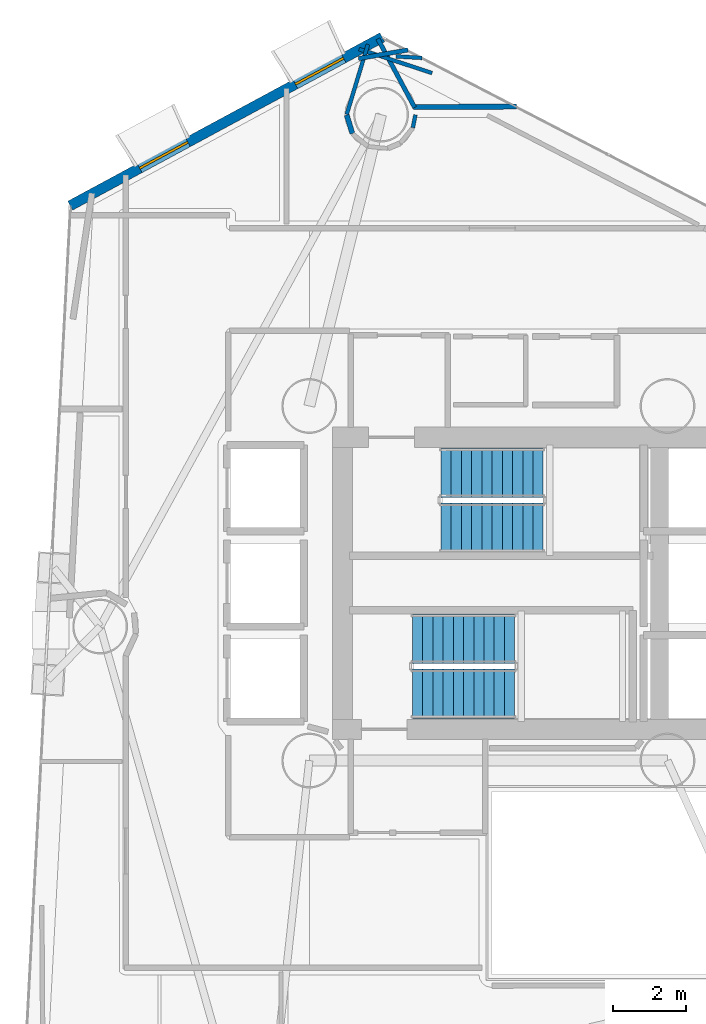
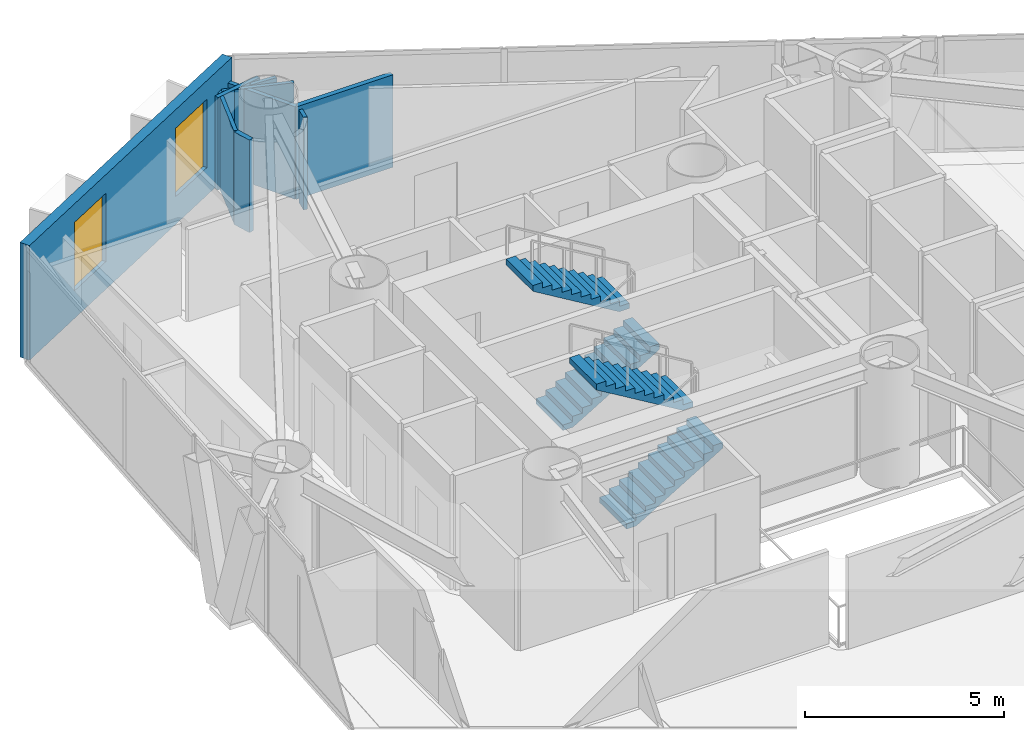
# One storey, part 18 of 21: 9 walls, 4 stair flights, 2 windows, 2 openings, 2 elements without a shape of their own.
"""IFC4 building model written with IfcOpenShell, lengths in metres."""

from ifc_helpers import new_model, si_unit, direction, frame, frame_2d, origin, place, context, subcontext, project, spatial, polyline, rectangle, outline, extrude, material, layer, layer_set, type_object, element, fill, aggregate, save


model = new_model("IFC4")

# Units and contexts
model_context = context("Model", 3, precision=1e-05, world=origin(), true_north=direction((0.0, 1.0)))
body_context = subcontext(model_context, "Body", "Model", "MODEL_VIEW")
ifc_project = project(units=[si_unit("LENGTHUNIT", "METRE"), si_unit("AREAUNIT", "SQUARE_METRE"), si_unit("VOLUMEUNIT", "CUBIC_METRE"), si_unit("PLANEANGLEUNIT", "RADIAN"), si_unit("MASSUNIT", "GRAM", prefix="KILO")], contexts=[model_context])

# Site, building, storey
site_placement = place(None, origin())
site = spatial("IfcSite", under=ifc_project, at=site_placement, CompositionType="ELEMENT")
building_placement = place(site_placement, origin())
building = spatial("IfcBuilding", under=site, at=building_placement, Name="Qianvela Tower", CompositionType="ELEMENT")
storey_placement = place(building_placement, frame((0.0, 0.0, 131.10009765625)))
storey = spatial("IfcBuildingStorey", under=building, at=storey_placement, Name="L33", CompositionType="ELEMENT", Elevation=131.10009765625)

# Wall, openings, windows
ifc_material_1 = material(Name="Terracotta Cladding on Concrete C40", Category="masonry")
ifc_layer_1 = layer(ifc_material_1, 0.280029296875)
ifc_layer_set_1 = layer_set([ifc_layer_1], Name="Terracotta Cladding on Concrete C40")
wall_type_1 = type_object("IfcWallType", Name="TERRACOTTA-WALL-280", PredefinedType="SOLIDWALL", material=ifc_layer_set_1)
wall_1_placement = place(storey_placement, frame((30.594482421875, 43.636962890625, 0.0), z_axis=(0.0, 0.0, 1.0), x_axis=(-0.880090959545, -0.474805120999, 0.0)))
wall_1 = element("IfcWall", 1, at=wall_1_placement, inside=storey, type_object=wall_type_1, Name="L33 Terracotta Chamfer Facet Wall 3", PredefinedType="SOLIDWALL", context=body_context, shape_type="SweptSolid", body=[
    extrude(rectangle(XDim=9.69970703125, YDim=0.280029296875, at=frame_2d((4.849853515625, 0.0))), origin(), (0.0, 0.0, 1.0), 3.52001953125),
])
opening_1_placement = place(wall_1_placement, frame((1.199951171875, 0.0, 0.85009765625)))
opening_1 = element("IfcOpeningElement", 2, at=opening_1_placement, cuts=wall_1, Name="Opening W-02", PredefinedType="OPENING", context=body_context, shape_type="SweptSolid", body=[
    extrude(rectangle(XDim=1.5, YDim=2.10009765625, at=frame_2d((0.75, 1.050048828125))), frame((0.0, 0.14990234375, 0.0), z_axis=(0.0, -1.0, 0.0), x_axis=(1.0, 0.0, 0.0)), (0.0, 0.0, 1.0), 0.300048828125),
])
opening_2_placement = place(wall_1_placement, frame((6.039794921875, 0.0, 0.85009765625)))
opening_2 = element("IfcOpeningElement", 3, at=opening_2_placement, cuts=wall_1, Name="Opening W-02", PredefinedType="OPENING", context=body_context, shape_type="SweptSolid", body=[
    extrude(rectangle(XDim=1.5, YDim=2.10009765625, at=frame_2d((0.75, 1.050048828125))), frame((0.0, 0.14990234375, 0.0), z_axis=(0.0, -1.0, 0.0), x_axis=(1.0, 0.0, 0.0)), (0.0, 0.0, 1.0), 0.300048828125),
])
ifc_material_2 = material(Name="Thermally Broken Aluminium and Low-E Glass", Category="aluminium")
window_type = type_object("IfcWindowType", Name="WIN-TC-1500x2100", PartitioningType="DOUBLE_PANEL_VERTICAL", PredefinedType="WINDOW", material=ifc_material_2)
window_1_placement = place(opening_1_placement, origin())
window_1 = element("IfcWindow", 4, at=window_1_placement, inside=storey, type_object=window_type, Name="L33 Chamfer Facet Window 3.1", OverallHeight=2.10009765625, OverallWidth=1.5, PartitioningType="SINGLE_PANEL", PredefinedType="WINDOW", context=body_context, shape_type="SweptSolid", body=[
    extrude(rectangle(XDim=1.5, YDim=2.10009765625, at=frame_2d((0.75, 1.050048828125))), frame((0.0, 0.030029296875, 0.0), z_axis=(0.0, -1.0, 0.0), x_axis=(1.0, 0.0, 0.0)), (0.0, 0.0, 1.0), 0.06005859375),
])
fill(opening_1, window_1)
window_2_placement = place(opening_2_placement, origin())
window_2 = element("IfcWindow", 5, at=window_2_placement, inside=storey, type_object=window_type, Name="L33 Chamfer Facet Window 3.2", OverallHeight=2.10009765625, OverallWidth=1.5, PartitioningType="SINGLE_PANEL", PredefinedType="WINDOW", context=body_context, shape_type="SweptSolid", body=[
    extrude(rectangle(XDim=1.5, YDim=2.10009765625, at=frame_2d((0.75, 1.050048828125))), frame((0.0, 0.030029296875, 0.0), z_axis=(0.0, -1.0, 0.0), x_axis=(1.0, 0.0, 0.0)), (0.0, 0.0, 1.0), 0.06005859375),
])
fill(opening_2, window_2)

# Walls
ifc_material_3 = material(Name="Lightweight Gypsum Room Partition")
ifc_layer_2 = layer(ifc_material_3, 0.10498046875)
ifc_layer_set_2 = layer_set([ifc_layer_2], Name="Lightweight Gypsum Room Partition")
wall_type_2 = type_object("IfcWallType", Name="WT-PART-105", PredefinedType="PARTITIONING", material=ifc_layer_set_2)
wall_2_placement = place(storey_placement, frame((29.96337890625, 43.315185546875, 0.0), z_axis=(0.0, 0.0, 1.0), x_axis=(0.950010587393, -0.312217686626, 0.0)))
element("IfcWall", 6, at=wall_2_placement, inside=storey, type_object=wall_type_2, Name="L33 Partition 79 seg 1", PredefinedType="PARTITIONING", context=body_context, shape_type="SweptSolid", body=[
    extrude(rectangle(XDim=2.101806640625, YDim=0.10498046875, at=frame_2d((1.05078125, 0.0))), origin(), (0.0, 0.0, 1.0), 2.83984375),
])
wall_3_placement = place(storey_placement, frame((31.682373046875, 43.0732421875, 0.0), z_axis=(0.0, 0.0, 1.0), x_axis=(-0.998224144137, 0.059569774728, 0.0)))
element("IfcWall", 7, at=wall_3_placement, inside=storey, type_object=wall_type_2, Name="L33 Partition 82", PredefinedType="PARTITIONING", context=body_context, shape_type="SweptSolid", body=[
    extrude(rectangle(XDim=0.708984375, YDim=0.10498046875, at=frame_2d((0.3544921875, 0.0))), origin(), (0.0, 0.0, 1.0), 2.83984375),
])
wall_4_placement = place(storey_placement, frame((30.20458984375, 43.4423828125, 0.0), z_axis=(0.0, 0.0, 1.0), x_axis=(-0.290383728265, -0.956910283339, 0.0)))
element("IfcWall", 8, at=wall_4_placement, inside=storey, type_object=wall_type_2, Name="L33 Partition 85", PredefinedType="PARTITIONING", context=body_context, shape_type="SweptSolid", body=[
    extrude(rectangle(XDim=1.99853515625, YDim=0.10498046875, at=frame_2d((0.999267578125, 0.0))), origin(), (0.0, 0.0, 1.0), 2.83984375),
])
wall_5_placement = place(storey_placement, frame((31.43505859375, 41.166748046875, 0.0), z_axis=(0.0, 0.0, 1.0), x_axis=(0.19466594417, 0.980869598968, 0.0)))
element("IfcWall", 9, at=wall_5_placement, inside=storey, type_object=wall_type_2, Name="L33 Partition 91", PredefinedType="PARTITIONING", context=body_context, shape_type="SweptSolid", body=[
    extrude(rectangle(XDim=0.356201171875, YDim=0.10498046875, at=frame_2d((0.17822265625, 0.0))), origin(), (0.0, 0.0, 1.0), 2.83984375),
])
ifc_material_4 = material(Name="Insulated Gypsum Stud Partition")
ifc_layer_3 = layer(ifc_material_4, 0.1201171875)
ifc_layer_set_3 = layer_set([ifc_layer_3], Name="Insulated Gypsum Stud Partition")
wall_type_3 = type_object("IfcWallType", Name="WT-PART-120", PredefinedType="PARTITIONING", material=ifc_layer_set_3)
wall_6_placement = place(storey_placement, frame((31.48291015625, 41.716552734375, 0.0), z_axis=(0.0, 0.0, 1.0), x_axis=(-0.472589987837, 0.88128241977, 0.0)))
element("IfcWall", 10, at=wall_6_placement, inside=storey, type_object=wall_type_3, Name="L33 Partition 81", PredefinedType="PARTITIONING", context=body_context, shape_type="SweptSolid", body=[
    extrude(rectangle(XDim=2.132080078125, YDim=0.1201171875, at=frame_2d((1.06591796875, 0.0))), origin(), (0.0, 0.0, 1.0), 2.83984375),
])
wall_7_placement = place(storey_placement, frame((31.30029296875, 43.2919921875, 0.0), z_axis=(0.0, 0.0, 1.0), x_axis=(-0.984951189759, -0.172832733568, 0.0)))
element("IfcWall", 11, at=wall_7_placement, inside=storey, type_object=wall_type_3, Name="L33 Partition 84", PredefinedType="PARTITIONING", context=body_context, shape_type="SweptSolid", body=[
    extrude(rectangle(XDim=1.37451171875, YDim=0.1201171875, at=frame_2d((0.687255859375, 0.0))), origin(), (0.0, 0.0, 1.0), 2.83984375),
])
ifc_material_5 = material(Name="Acoustic Double Gypsum Stud Partition")
ifc_layer_4 = layer(ifc_material_5, 0.139892578125)
ifc_layer_set_4 = layer_set([ifc_layer_4], Name="Acoustic Double Gypsum Stud Partition")
wall_type_4 = type_object("IfcWallType", Name="WT-ROOM-140", PredefinedType="PARTITIONING", material=ifc_layer_set_4)
wall_8_placement = place(storey_placement, frame((34.275146484375, 41.739990234375, 0.0), z_axis=(0.0, 0.0, 1.0), x_axis=(-0.9999968479, -0.002510814596, 0.0)))
element("IfcWall", 12, at=wall_8_placement, inside=storey, type_object=wall_type_4, Name="L33 Partition 80", PredefinedType="PARTITIONING", context=body_context, shape_type="SweptSolid", body=[
    extrude(rectangle(XDim=2.81982421875, YDim=0.139892578125, at=frame_2d((1.409912109375, 0.0))), origin(), (0.0, 0.0, 1.0), 2.83984375),
])
wall_9_placement = place(storey_placement, frame((29.624267578125, 41.511962890625, 0.0), z_axis=(0.0, 0.0, 1.0), x_axis=(0.290186937255, -0.956969979386, 0.0)))
element("IfcWall", 13, at=wall_9_placement, inside=storey, type_object=wall_type_4, Name="L33 Partition 86", PredefinedType="PARTITIONING", context=body_context, shape_type="SweptSolid", body=[
    extrude(rectangle(XDim=0.5283203125, YDim=0.139892578125, at=frame_2d((0.26416015625, 0.0))), origin(), (0.0, 0.0, 1.0), 2.83984375),
])

# Stair, stair flights
ifc_material_6 = material(Name="Concrete C40", Category="concrete")
stair_type = type_object("IfcStairType", Name="ST-DOGLEG-1350-R168-N22", PredefinedType="HALF_TURN_STAIR", material=ifc_material_6)
stair_1_placement = place(storey_placement, origin())
stair_1 = element("IfcStair", 14, at=stair_1_placement, inside=storey, type_object=stair_type, Name="L33 Smoke-Proof Core Stair ST-1", PredefinedType="HALF_TURN_STAIR")
ifc_material_7 = material(Name="Concrete C40", Category="concrete")
stair_flight_type = type_object("IfcStairFlightType", Name="STF-STRAIGHT-R168-P11", PredefinedType="STRAIGHT", material=ifc_material_7)
stair_flight_1_placement = place(storey_placement, frame((32.199951171875, 30.215087890625, 0.0), z_axis=(0.0, 0.0, 1.0), x_axis=(1.0, 0.0, 0.0)))
stair_flight_1 = element("IfcStairFlight", 15, at=stair_flight_1_placement, type_object=stair_flight_type, Name="ST-1 flight 1", NumberOfRisers=11, NumberOfTreads=10, PredefinedType="STRAIGHT", RiserHeight=0.168181818, TreadLength=0.28, context=body_context, shape_type="SweptSolid", body=[
    extrude(outline(polyline([(0.0, 0.0), (0.0, 0.168212890625), (0.280029296875, 0.168212890625), (0.280029296875, 0.33642578125), (0.56005859375, 0.33642578125), (0.56005859375, 0.504638671875), (0.840087890625, 0.504638671875), (0.840087890625, 0.672607421875), (1.1201171875, 0.672607421875), (1.1201171875, 0.8408203125), (1.39990234375, 0.8408203125), (1.39990234375, 1.009033203125), (1.679931640625, 1.009033203125), (1.679931640625, 1.17724609375), (1.9599609375, 1.17724609375), (1.9599609375, 1.345458984375), (2.239990234375, 1.345458984375), (2.239990234375, 1.513671875), (2.52001953125, 1.513671875), (2.52001953125, 1.681884765625), (2.800048828125, 1.681884765625), (2.800048828125, 1.85009765625), (2.800048828125, 1.5068359375), (0.291015625, 0.0), (0.0, 0.0)])), frame((0.0, 0.675048828125, 0.0), z_axis=(0.0, -1.0, 0.0), x_axis=(1.0, 0.0, 0.0)), (0.0, 0.0, 1.0), 1.35009765625),
])
stair_flight_2_placement = place(storey_placement, frame((35.0, 31.72509765625, 1.849853515625), z_axis=(0.0, 0.0, 1.0), x_axis=(-1.0, 0.0, 0.0)))
stair_flight_2 = element("IfcStairFlight", 16, at=stair_flight_2_placement, type_object=stair_flight_type, Name="ST-1 flight 2", NumberOfRisers=11, NumberOfTreads=10, PredefinedType="STRAIGHT", RiserHeight=0.168181818, TreadLength=0.28, context=body_context, shape_type="SweptSolid", body=[
    extrude(outline(polyline([(0.0, 0.0), (0.0, 0.168212890625), (0.280029296875, 0.168212890625), (0.280029296875, 0.33642578125), (0.56005859375, 0.33642578125), (0.56005859375, 0.504638671875), (0.840087890625, 0.504638671875), (0.840087890625, 0.672607421875), (1.1201171875, 0.672607421875), (1.1201171875, 0.8408203125), (1.39990234375, 0.8408203125), (1.39990234375, 1.009033203125), (1.679931640625, 1.009033203125), (1.679931640625, 1.17724609375), (1.9599609375, 1.17724609375), (1.9599609375, 1.345458984375), (2.239990234375, 1.345458984375), (2.239990234375, 1.513671875), (2.52001953125, 1.513671875), (2.52001953125, 1.681884765625), (2.800048828125, 1.681884765625), (2.800048828125, 1.85009765625), (2.800048828125, 1.5068359375), (0.291015625, 0.0), (0.0, 0.0)])), frame((0.0, 0.675048828125, 0.0), z_axis=(0.0, -1.0, 0.0), x_axis=(1.0, 0.0, 0.0)), (0.0, 0.0, 1.0), 1.35009765625),
])
aggregate(stair_1, [stair_flight_1, stair_flight_2])

stair_2_placement = place(storey_placement, origin())
stair_2 = element("IfcStair", 17, at=stair_2_placement, inside=storey, type_object=stair_type, Name="L33 Smoke-Proof Core Stair ST-2", PredefinedType="HALF_TURN_STAIR")
stair_flight_3_placement = place(storey_placement, frame((31.419921875, 25.675048828125, 0.0), z_axis=(0.0, 0.0, 1.0), x_axis=(1.0, 0.0, 0.0)))
stair_flight_3 = element("IfcStairFlight", 18, at=stair_flight_3_placement, type_object=stair_flight_type, Name="ST-2 flight 1", NumberOfRisers=11, NumberOfTreads=10, PredefinedType="STRAIGHT", RiserHeight=0.168181818, TreadLength=0.28, context=body_context, shape_type="SweptSolid", body=[
    extrude(outline(polyline([(0.0, 0.0), (0.0, 0.168212890625), (0.280029296875, 0.168212890625), (0.280029296875, 0.33642578125), (0.56005859375, 0.33642578125), (0.56005859375, 0.504638671875), (0.840087890625, 0.504638671875), (0.840087890625, 0.672607421875), (1.1201171875, 0.672607421875), (1.1201171875, 0.8408203125), (1.39990234375, 0.8408203125), (1.39990234375, 1.009033203125), (1.679931640625, 1.009033203125), (1.679931640625, 1.17724609375), (1.9599609375, 1.17724609375), (1.9599609375, 1.345458984375), (2.239990234375, 1.345458984375), (2.239990234375, 1.513671875), (2.52001953125, 1.513671875), (2.52001953125, 1.681884765625), (2.800048828125, 1.681884765625), (2.800048828125, 1.85009765625), (2.800048828125, 1.5068359375), (0.291015625, 0.0), (0.0, 0.0)])), frame((0.0, 0.675048828125, 0.0), z_axis=(0.0, -1.0, 0.0), x_axis=(1.0, 0.0, 0.0)), (0.0, 0.0, 1.0), 1.35009765625),
])
stair_flight_4_placement = place(storey_placement, frame((34.219970703125, 27.18505859375, 1.849853515625), z_axis=(0.0, 0.0, 1.0), x_axis=(-1.0, 0.0, 0.0)))
stair_flight_4 = element("IfcStairFlight", 19, at=stair_flight_4_placement, type_object=stair_flight_type, Name="ST-2 flight 2", NumberOfRisers=11, NumberOfTreads=10, PredefinedType="STRAIGHT", RiserHeight=0.168181818, TreadLength=0.28, context=body_context, shape_type="SweptSolid", body=[
    extrude(outline(polyline([(0.0, 0.0), (0.0, 0.168212890625), (0.280029296875, 0.168212890625), (0.280029296875, 0.33642578125), (0.56005859375, 0.33642578125), (0.56005859375, 0.504638671875), (0.840087890625, 0.504638671875), (0.840087890625, 0.672607421875), (1.1201171875, 0.672607421875), (1.1201171875, 0.8408203125), (1.39990234375, 0.8408203125), (1.39990234375, 1.009033203125), (1.679931640625, 1.009033203125), (1.679931640625, 1.17724609375), (1.9599609375, 1.17724609375), (1.9599609375, 1.345458984375), (2.239990234375, 1.345458984375), (2.239990234375, 1.513671875), (2.52001953125, 1.513671875), (2.52001953125, 1.681884765625), (2.800048828125, 1.681884765625), (2.800048828125, 1.85009765625), (2.800048828125, 1.5068359375), (0.291015625, 0.0), (0.0, 0.0)])), frame((0.0, 0.675048828125, 0.0), z_axis=(0.0, -1.0, 0.0), x_axis=(1.0, 0.0, 0.0)), (0.0, 0.0, 1.0), 1.35009765625),
])
aggregate(stair_2, [stair_flight_3, stair_flight_4])

save(model, "model.ifc")
